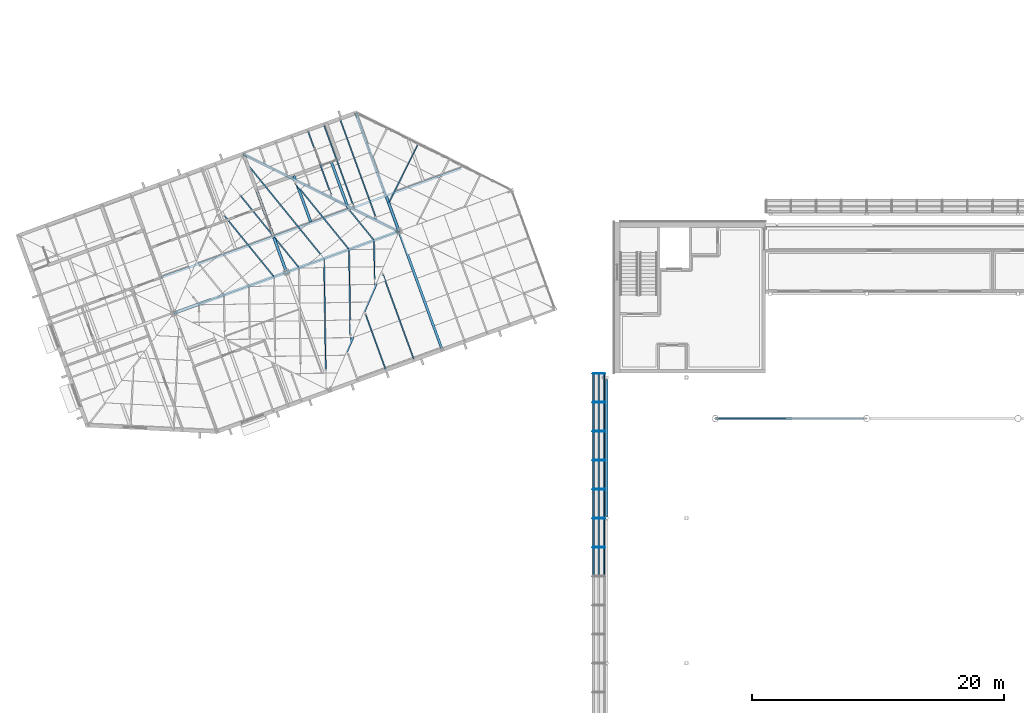
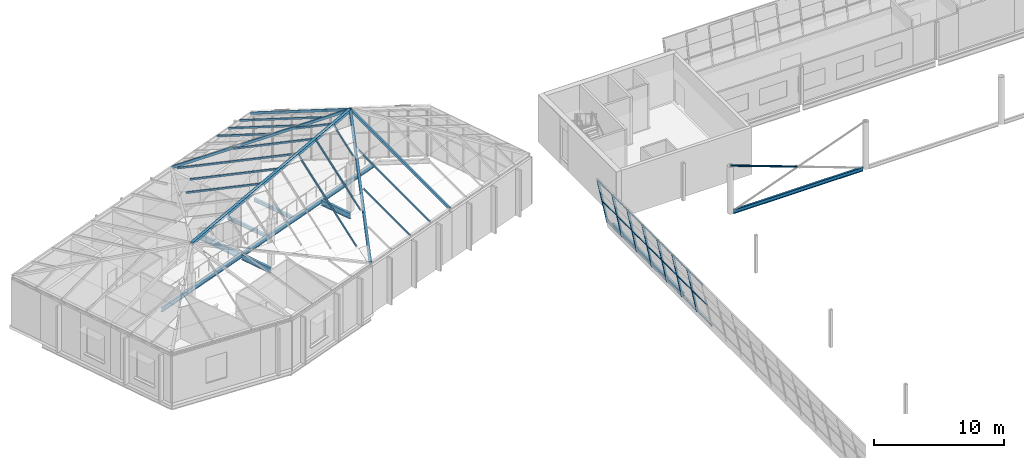
# One storey, part 22 of 95: 48 members, 8 beams, 1 element without a shape of its own.
"""IFC4 building model written with IfcOpenShell, lengths in metres."""

from ifc_helpers import new_model, si_unit, direction, frame, origin, origin_2d, place, context, subcontext, project, spatial, rectangle, hollow_rectangle, hollow_circle, i_section, extrude, material, layer, layer_set, material_profile, profile_set, type_object, element, aggregate, save


model = new_model("IFC4")

# Units and contexts
model_context = context("Model", 3, precision=1e-05, world=origin(), true_north=direction((0.0, 1.0)))
body_context = subcontext(model_context, "Body", "Model", "MODEL_VIEW")
ifc_project = project(units=[si_unit("LENGTHUNIT", "METRE"), si_unit("AREAUNIT", "SQUARE_METRE"), si_unit("VOLUMEUNIT", "CUBIC_METRE"), si_unit("PLANEANGLEUNIT", "RADIAN"), si_unit("MASSUNIT", "GRAM", prefix="KILO")], contexts=[model_context])

# Site, building, storey
site_placement = place(None, origin())
site = spatial("IfcSite", under=ifc_project, at=site_placement, CompositionType="ELEMENT")
building_placement = place(site_placement, origin())
building = spatial("IfcBuilding", under=site, at=building_placement, Name="Windward Yard Aquatics Centre", CompositionType="ELEMENT")
storey_placement = place(building_placement, frame((0.0, 0.0, 9.39990234375)))
storey = spatial("IfcBuildingStorey", under=building, at=storey_placement, Name="L02", CompositionType="ELEMENT", Elevation=9.39990234375)

# Members
ifc_material_1 = material(Name="Steel S355", Category="steel")
ifc_material_profile_1 = material_profile(ifc_material_1, hollow_rectangle(XDim=0.202880859375, YDim=0.202880859375, WallThickness=0.0087890625, at=origin_2d()), Name="HSS203x203x9.5")
ifc_profile_set_1 = profile_set([ifc_material_profile_1], Name="Steel S355")
member_type_1 = type_object("IfcMemberType", Name="F HSS203x203x9.5 brace", PredefinedType="BRACE", material=ifc_profile_set_1)
member_1_placement = place(storey_placement, frame((29.409423828125, 82.65625, 4.623779296875), z_axis=(0.37665642195, 0.864922168025, 0.33172214738), x_axis=(-0.923087374187, 0.320396914007, 0.212733441449)))
element("IfcMember", 1, at=member_1_placement, inside=storey, type_object=member_type_1, Name="F.RF.H.09", PredefinedType="BRACE", context=body_context, shape_type="SweptSolid", body=[
    extrude(hollow_rectangle(XDim=0.202880859375, YDim=0.202880859375, WallThickness=0.0087890625, at=origin_2d()), origin(), (0.0, 0.0, 1.0), 14.620849609375),
])
for number, where, z_axis, x_axis, name in (
    (2, (38.326904296875, 85.90869140625, 4.62646484375), (-0.307753927574, 0.845499548345, 0.436369148555), (-0.939686455819, -0.342037080957, 0.0), "F.RF.H.12"),
    (3, (31.49951171875, 104.581298828125, 4.6298828125), (0.307736806775, -0.845490895563, 0.43639798725), (0.94988368346, 0.246516286578, -0.192225670366), "F.RF.H.18"),
):
    element("IfcMember", number, at=place(storey_placement, frame(where, z_axis=z_axis, x_axis=x_axis)), inside=storey, type_object=member_type_1, Name=name, PredefinedType="BRACE", context=body_context, shape_type="SweptSolid", body=[
        extrude(hollow_rectangle(XDim=0.202880859375, YDim=0.202880859375, WallThickness=0.0087890625, at=origin_2d()), origin(), (0.0, 0.0, 1.0), 11.114013671875),
    ])
member_2_placement = place(storey_placement, frame((22.605712890625, 101.349365234375, 4.623779296875), z_axis=(0.844488405648, -0.420474206957, 0.331723942473), x_axis=(0.501194791769, 0.838777875336, -0.212733299108)))
element("IfcMember", 4, at=member_2_placement, inside=storey, type_object=member_type_1, Name="F.RF.H.20", PredefinedType="BRACE", context=body_context, shape_type="SweptSolid", body=[
    extrude(hollow_rectangle(XDim=0.202880859375, YDim=0.202880859375, WallThickness=0.0087890625, at=origin_2d()), origin(), (0.0, 0.0, 1.0), 14.620849609375),
])
ifc_material_profile_2 = material_profile(ifc_material_1, hollow_rectangle(XDim=0.25390625, YDim=0.25390625, WallThickness=0.01171875, at=origin_2d()), Name="HSS254x254x12.7")
ifc_profile_set_2 = profile_set([ifc_material_profile_2], Name="Steel S355")
member_type_2 = type_object("IfcMemberType", Name="F HSS254x254x12.7 brace", PredefinedType="BRACE", material=ifc_profile_set_2)
member_3_placement = place(storey_placement, frame((34.946044921875, 95.256103515625, 9.4404296875), z_axis=(-0.932287152589, -0.339318307427, -0.125314609536), x_axis=(0.342014388417, -0.939694715381, 0.0)))
element("IfcMember", 5, at=member_3_placement, inside=storey, type_object=member_type_2, Name="F.RF.G.01", PredefinedType="BRACE", context=body_context, shape_type="SweptSolid", body=[
    extrude(hollow_rectangle(XDim=0.25390625, YDim=0.25390625, WallThickness=0.01171875, at=origin_2d()), origin(), (0.0, 0.0, 1.0), 19.151123046875),
])
ifc_material_profile_3 = material_profile(ifc_material_1, hollow_rectangle(XDim=0.10009765625, YDim=0.14990234375, WallThickness=0.006103515625, at=origin_2d()), Name="RHS150x100x6")
ifc_profile_set_3 = profile_set([ifc_material_profile_3], Name="Steel S355")
member_type_3 = type_object("IfcMemberType", Name="F RHS150x100x6 rafter", PredefinedType="RAFTER", material=ifc_profile_set_3)
member_4_placement = place(storey_placement, frame((36.098876953125, 85.08544921875, 4.650146484375), z_axis=(-0.307731662636, 0.845495502744, 0.436392688585), x_axis=(-0.939693882973, -0.342016675474, 0.0)))
element("IfcMember", 6, at=member_4_placement, inside=storey, type_object=member_type_3, Name="F.RF.R.01.01", PredefinedType="RAFTER", context=body_context, shape_type="SweptSolid", body=[
    extrude(hollow_rectangle(XDim=0.10009765625, YDim=0.14990234375, WallThickness=0.006103515625, at=origin_2d()), origin(), (0.0, 0.0, 1.0), 7.962158203125),
])
member_5_placement = place(storey_placement, frame((33.8671875, 84.273193359375, 4.650146484375), z_axis=(-0.307733338762, 0.845489577206, 0.436402986987), x_axis=(-0.939692513883, -0.342020437038, 0.0)))
element("IfcMember", 7, at=member_5_placement, inside=storey, type_object=member_type_3, Name="F.RF.R.01.02", PredefinedType="RAFTER", context=body_context, shape_type="SweptSolid", body=[
    extrude(hollow_rectangle(XDim=0.10009765625, YDim=0.14990234375, WallThickness=0.006103515625, at=origin_2d()), origin(), (0.0, 0.0, 1.0), 5.183837890625),
])
member_6_placement = place(storey_placement, frame((36.417236328125, 102.1298828125, 4.6591796875), z_axis=(-0.364394044993, -0.731922999502, 0.575765319182), x_axis=(0.895192718547, -0.445679253119, 0.0)))
element("IfcMember", 8, at=member_6_placement, inside=storey, type_object=member_type_3, Name="F.RF.R.04.02", PredefinedType="RAFTER", context=body_context, shape_type="SweptSolid", body=[
    extrude(hollow_rectangle(XDim=0.10009765625, YDim=0.14990234375, WallThickness=0.006103515625, at=origin_2d()), origin(), (0.0, 0.0, 1.0), 6.230224609375),
])
member_7_placement = place(storey_placement, frame((27.697509765625, 103.2080078125, 4.650146484375), z_axis=(0.307765394896, -0.845486884451, 0.436385597752), x_axis=(0.939680712792, 0.342052858497, 0.0)))
element("IfcMember", 9, at=member_7_placement, inside=storey, type_object=member_type_3, Name="F.RF.R.05.04", PredefinedType="RAFTER", context=body_context, shape_type="SweptSolid", body=[
    extrude(hollow_rectangle(XDim=0.10009765625, YDim=0.14990234375, WallThickness=0.006103515625, at=origin_2d()), origin(), (0.0, 0.0, 1.0), 5.977294921875),
])
member_8_placement = place(storey_placement, frame((28.972900390625, 103.67236328125, 4.650146484375), z_axis=(0.307708636788, -0.845512982049, 0.436375058903), x_axis=(0.939704379661, 0.341987834354, 0.0)))
element("IfcMember", 10, at=member_8_placement, inside=storey, type_object=member_type_3, Name="F.RF.R.05.05", PredefinedType="RAFTER", context=body_context, shape_type="SweptSolid", body=[
    extrude(hollow_rectangle(XDim=0.10009765625, YDim=0.14990234375, WallThickness=0.006103515625, at=origin_2d()), origin(), (0.0, 0.0, 1.0), 7.565185546875),
])
member_9_placement = place(storey_placement, frame((30.248046875, 104.136474609375, 4.650146484375), z_axis=(0.30775789334, -0.845493994029, 0.436377113455), x_axis=(0.939684316992, 0.342042956951, 0.0)))
element("IfcMember", 11, at=member_9_placement, inside=storey, type_object=member_type_3, Name="F.RF.R.05.06", PredefinedType="RAFTER", context=body_context, shape_type="SweptSolid", body=[
    extrude(hollow_rectangle(XDim=0.10009765625, YDim=0.14990234375, WallThickness=0.006103515625, at=origin_2d()), origin(), (0.0, 0.0, 1.0), 9.153076171875),
])
member_10_placement = place(storey_placement, frame((32.991943359375, 91.471435546875, 8.033935546875), z_axis=(-0.014901180284, 0.93269224347, 0.360365278289), x_axis=(-0.999872399763, -0.015974485683, 0.0)))
element("IfcMember", 12, at=member_10_placement, inside=storey, type_object=member_type_3, Name="F.RF.R.12.01", PredefinedType="RAFTER", context=body_context, shape_type="SweptSolid", body=[
    extrude(hollow_rectangle(XDim=0.10009765625, YDim=0.14990234375, WallThickness=0.006103515625, at=origin_2d()), origin(), (0.0, 0.0, 1.0), 3.211181640625),
])
member_11_placement = place(storey_placement, frame((31.06689453125, 87.051025390625, 6.338623046875), z_axis=(-0.014832581176, 0.932717610346, 0.360302447794), x_axis=(-0.999873578553, -0.015900531796, 0.0)))
element("IfcMember", 13, at=member_11_placement, inside=storey, type_object=member_type_3, Name="F.RF.R.12.02", PredefinedType="RAFTER", context=body_context, shape_type="SweptSolid", body=[
    extrude(hollow_rectangle(XDim=0.10009765625, YDim=0.14990234375, WallThickness=0.006103515625, at=origin_2d()), origin(), (0.0, 0.0, 1.0), 7.176513671875),
])
member_12_placement = place(storey_placement, frame((29.115478515625, 84.27978515625, 5.280517578125), z_axis=(-0.014794322586, 0.932719527831, 0.360299056925), x_axis=(-0.999874230279, -0.015859496308, 0.0)))
element("IfcMember", 14, at=member_12_placement, inside=storey, type_object=member_type_3, Name="F.RF.R.12.03", PredefinedType="RAFTER", context=body_context, shape_type="SweptSolid", body=[
    extrude(hollow_rectangle(XDim=0.10009765625, YDim=0.14990234375, WallThickness=0.006103515625, at=origin_2d()), origin(), (0.0, 0.0, 1.0), 9.373291015625),
])
member_13_placement = place(storey_placement, frame((21.077392578125, 96.4775390625, 5.739990234375), z_axis=(0.588189213242, -0.724021669537, 0.360313851338), x_axis=(0.776155127648, 0.630542003221, 0.0)))
element("IfcMember", 15, at=member_13_placement, inside=storey, type_object=member_type_3, Name="F.RF.R.13.04", PredefinedType="RAFTER", context=body_context, shape_type="SweptSolid", body=[
    extrude(hollow_rectangle(XDim=0.10009765625, YDim=0.14990234375, WallThickness=0.006103515625, at=origin_2d()), origin(), (0.0, 0.0, 1.0), 6.617919921875),
])
member_14_placement = place(storey_placement, frame((22.35107421875, 98.073974609375, 5.571533203125), z_axis=(0.588152661222, -0.72405298969, 0.360310581607), x_axis=(0.776187652145, 0.630501965626, 0.0)))
element("IfcMember", 16, at=member_14_placement, inside=storey, type_object=member_type_3, Name="F.RF.R.13.05", PredefinedType="RAFTER", context=body_context, shape_type="SweptSolid", body=[
    extrude(hollow_rectangle(XDim=0.10009765625, YDim=0.14990234375, WallThickness=0.006103515625, at=origin_2d()), origin(), (0.0, 0.0, 1.0), 7.825439453125),
])
member_15_placement = place(storey_placement, frame((22.74169921875, 100.7568359375, 4.8623046875), z_axis=(0.588176098944, -0.724037407637, 0.360303634415), x_axis=(0.776168715423, 0.630525277209, 0.0)))
element("IfcMember", 17, at=member_15_placement, inside=storey, type_object=member_type_3, Name="F.RF.R.13.06", PredefinedType="RAFTER", context=body_context, shape_type="SweptSolid", body=[
    extrude(hollow_rectangle(XDim=0.10009765625, YDim=0.14990234375, WallThickness=0.006103515625, at=origin_2d()), origin(), (0.0, 0.0, 1.0), 10.533935546875),
])
member_16_placement = place(storey_placement, frame((26.7001953125, 99.048095703125, 6.338623046875), z_axis=(0.588190695154, -0.724029066799, 0.360296567517), x_axis=(0.776157502956, 0.630539079364, 0.0)))
element("IfcMember", 18, at=member_16_placement, inside=storey, type_object=member_type_3, Name="F.RF.R.13.07", PredefinedType="RAFTER", context=body_context, shape_type="SweptSolid", body=[
    extrude(hollow_rectangle(XDim=0.10009765625, YDim=0.14990234375, WallThickness=0.006103515625, at=origin_2d()), origin(), (0.0, 0.0, 1.0), 7.176513671875),
])
member_17_placement = place(storey_placement, frame((31.016357421875, 96.899169921875, 8.033935546875), z_axis=(0.588155786301, -0.724018556482, 0.360374667408), x_axis=(0.776171338015, 0.630522048817, 0.0)))
element("IfcMember", 19, at=member_17_placement, inside=storey, type_object=member_type_3, Name="F.RF.R.13.08", PredefinedType="RAFTER", context=body_context, shape_type="SweptSolid", body=[
    extrude(hollow_rectangle(XDim=0.10009765625, YDim=0.14990234375, WallThickness=0.006103515625, at=origin_2d()), origin(), (0.0, 0.0, 1.0), 3.211181640625),
])

# Beams
ifc_material_profile_4 = material_profile(ifc_material_1, i_section(OverallWidth=0.202880859375, OverallDepth=0.302001953125, WebThickness=0.007568359375, FlangeThickness=0.01318359375, at=origin_2d()), Name="W310x60")
ifc_profile_set_4 = profile_set([ifc_material_profile_4], Name="Steel S355")
beam_type_1 = type_object("IfcBeamType", Name="F W310x60 joist", PredefinedType="JOIST", material=ifc_profile_set_4)
for number, where, z_axis, x_axis, name in (
    (20, (27.918701171875, 95.9873046875, -0.430908203125), (-0.342029583368, 0.939689184838, 0.0), (-0.939689184838, -0.342029583368, 0.0), "F.BM.L02.S09"),
    (21, (30.894287109375, 97.0703125, -0.430908203125), (-0.341974297405, 0.93970930607, 0.0), (-0.93970930607, -0.341974297405, 0.0), "F.BM.L02.S10"),
):
    element("IfcBeam", number, at=place(storey_placement, frame(where, z_axis=z_axis, x_axis=x_axis)), inside=storey, type_object=beam_type_1, Name=name, PredefinedType="JOIST", context=body_context, shape_type="SweptSolid", body=[
        extrude(i_section(OverallWidth=0.202880859375, OverallDepth=0.302001953125, WebThickness=0.007568359375, FlangeThickness=0.01318359375, at=origin_2d()), origin(), (0.0, 0.0, 1.0), 3.8994140625),
    ])
ifc_material_profile_5 = material_profile(ifc_material_1, i_section(OverallWidth=0.180908203125, OverallDepth=0.4169921875, WebThickness=0.010986328125, FlangeThickness=0.018310546875, at=origin_2d()), Name="W410x85")
ifc_profile_set_5 = profile_set([ifc_material_profile_5], Name="Steel S355")
beam_type_2 = type_object("IfcBeamType", Name="F W410x85 beam", PredefinedType="BEAM", material=ifc_profile_set_5)
beam_1_placement = place(storey_placement, frame((39.852294921875, 100.234375, -0.48828125), z_axis=(-0.939691523189, -0.342023158932, 0.0), x_axis=(0.342023158932, -0.939691523189, 0.0)))
element("IfcBeam", 22, at=beam_1_placement, inside=storey, type_object=beam_type_2, Name="F.BM.L02.E01", PredefinedType="BEAM", context=body_context, shape_type="SweptSolid", body=[
    extrude(i_section(OverallWidth=0.180908203125, OverallDepth=0.4169921875, WebThickness=0.010986328125, FlangeThickness=0.018310546875, at=origin_2d()), origin(), (0.0, 0.0, 1.0), 25.333251953125),
])
ifc_material_profile_6 = material_profile(ifc_material_1, i_section(OverallWidth=0.208984375, OverallDepth=0.532958984375, WebThickness=0.01025390625, FlangeThickness=0.015625, at=origin_2d()), Name="W530x92")
ifc_profile_set_6 = profile_set([ifc_material_profile_6], Name="Steel S355")
beam_type_3 = type_object("IfcBeamType", Name="F W530x92 beam", PredefinedType="BEAM", material=ifc_profile_set_6)
beam_2_placement = place(storey_placement, frame((26.0, 92.0, -0.54638671875), z_axis=(-0.34203950662, 0.939685572897, 0.0), x_axis=(-0.939685572897, -0.34203950662, 0.0)))
element("IfcBeam", 23, at=beam_2_placement, inside=storey, type_object=beam_type_3, Name="F.BM.L02.P04", PredefinedType="BEAM", context=body_context, shape_type="SweptSolid", body=[
    extrude(i_section(OverallWidth=0.208984375, OverallDepth=0.532958984375, WebThickness=0.01025390625, FlangeThickness=0.015625, at=origin_2d()), origin(), (0.0, 0.0, 1.0), 2.909423828125),
])
beam_3_placement = place(storey_placement, frame((24.943115234375, 94.904052734375, -0.54638671875), z_axis=(-0.342009462046, 0.939696508385, 0.0), x_axis=(-0.939696508385, -0.342009462046, 0.0)))
element("IfcBeam", 24, at=beam_3_placement, inside=storey, type_object=beam_type_3, Name="F.BM.L02.P05", PredefinedType="BEAM", context=body_context, shape_type="SweptSolid", body=[
    extrude(i_section(OverallWidth=0.208984375, OverallDepth=0.532958984375, WebThickness=0.01025390625, FlangeThickness=0.015625, at=origin_2d()), origin(), (0.0, 0.0, 1.0), 3.899658203125),
])
beam_4_placement = place(storey_placement, frame((34.927001953125, 95.249267578125, -0.54638671875), z_axis=(-0.34203950662, 0.939685572897, 0.0), x_axis=(-0.939685572897, -0.34203950662, 0.0)))
element("IfcBeam", 25, at=beam_4_placement, inside=storey, type_object=beam_type_3, Name="F.BM.L02.P06", PredefinedType="BEAM", context=body_context, shape_type="SweptSolid", body=[
    extrude(i_section(OverallWidth=0.208984375, OverallDepth=0.532958984375, WebThickness=0.01025390625, FlangeThickness=0.015625, at=origin_2d()), origin(), (0.0, 0.0, 1.0), 2.909423828125),
])

# Curtain wall, members
ifc_material_2 = material(Name="Glass and aluminium curtain wall", Category="aluminium")
ifc_layer = layer(ifc_material_2, 0.179931640625)
ifc_layer_set = layer_set([ifc_layer], Name="H curtain wall tier 1 double glazed 8+16+8")
curtain_wall_type = type_object("IfcCurtainWallType", Name="H curtain wall tier 1 double glazed 8+16+8", PredefinedType="NOTDEFINED", material=ifc_layer_set)
curtain_wall_placement = place(storey_placement, origin())
curtain_wall = element("IfcCurtainWall", 26, at=curtain_wall_placement, inside=storey, type_object=curtain_wall_type, Name="Tier 1 glazing W L02", PredefinedType="NOTDEFINED")
ifc_material_3 = material(Name="Aluminium 6063-T6 anodised", Category="aluminium")
ifc_material_profile_7 = material_profile(ifc_material_3, rectangle(XDim=0.06494140625, YDim=0.179931640625, at=origin_2d()), Name="H CW mullion 65x180")
ifc_profile_set_7 = profile_set([ifc_material_profile_7], Name="Aluminium 6063-T6 anodised")
member_type_4 = type_object("IfcMemberType", Name="H CW mullion 65x180", PredefinedType="MULLION", material=ifc_profile_set_7)
member_18_placement = place(storey_placement, frame((51.196533203125, 70.199951171875, 0.0), z_axis=(-0.199322032497, 0.0, 0.979934042352), x_axis=(0.0, -1.0, 0.0)))
member_18 = element("IfcMember", 27, at=member_18_placement, type_object=member_type_4, Name="G1WA mullion 15", PredefinedType="MULLION", context=body_context, shape_type="SweptSolid", body=[
    extrude(rectangle(XDim=0.06494140625, YDim=0.179931640625, at=origin_2d()), origin(), (0.0, 0.0, 1.0), 4.31884765625),
])
member_19_placement = place(storey_placement, frame((51.196533203125, 72.5, 0.0), z_axis=(-0.199322032497, 0.0, 0.979934042352), x_axis=(0.0, -1.0, 0.0)))
member_19 = element("IfcMember", 28, at=member_19_placement, type_object=member_type_4, Name="G1WA mullion 16", PredefinedType="MULLION", context=body_context, shape_type="SweptSolid", body=[
    extrude(rectangle(XDim=0.06494140625, YDim=0.179931640625, at=origin_2d()), origin(), (0.0, 0.0, 1.0), 4.31884765625),
])
member_20_placement = place(storey_placement, frame((51.196533203125, 74.800048828125, 0.0), z_axis=(-0.199322032497, 0.0, 0.979934042352), x_axis=(0.0, -1.0, 0.0)))
member_20 = element("IfcMember", 29, at=member_20_placement, type_object=member_type_4, Name="G1WA mullion 17", PredefinedType="MULLION", context=body_context, shape_type="SweptSolid", body=[
    extrude(rectangle(XDim=0.06494140625, YDim=0.179931640625, at=origin_2d()), origin(), (0.0, 0.0, 1.0), 4.31884765625),
])
member_21_placement = place(storey_placement, frame((51.196533203125, 77.10009765625, 0.0), z_axis=(-0.199322032497, 0.0, 0.979934042352), x_axis=(0.0, -1.0, 0.0)))
member_21 = element("IfcMember", 30, at=member_21_placement, type_object=member_type_4, Name="G1WA mullion 18", PredefinedType="MULLION", context=body_context, shape_type="SweptSolid", body=[
    extrude(rectangle(XDim=0.06494140625, YDim=0.179931640625, at=origin_2d()), origin(), (0.0, 0.0, 1.0), 4.31884765625),
])
member_22_placement = place(storey_placement, frame((51.196533203125, 79.39990234375, 0.0), z_axis=(-0.199322032497, 0.0, 0.979934042352), x_axis=(0.0, -1.0, 0.0)))
member_22 = element("IfcMember", 31, at=member_22_placement, type_object=member_type_4, Name="G1WA mullion 19", PredefinedType="MULLION", context=body_context, shape_type="SweptSolid", body=[
    extrude(rectangle(XDim=0.06494140625, YDim=0.179931640625, at=origin_2d()), origin(), (0.0, 0.0, 1.0), 4.31884765625),
])
member_23_placement = place(storey_placement, frame((51.196533203125, 81.699951171875, 0.0), z_axis=(-0.199322032497, 0.0, 0.979934042352), x_axis=(0.0, -1.0, 0.0)))
member_23 = element("IfcMember", 32, at=member_23_placement, type_object=member_type_4, Name="G1WA mullion 20", PredefinedType="MULLION", context=body_context, shape_type="SweptSolid", body=[
    extrude(rectangle(XDim=0.06494140625, YDim=0.179931640625, at=origin_2d()), origin(), (0.0, 0.0, 1.0), 4.31884765625),
])
member_24_placement = place(storey_placement, frame((51.196533203125, 83.967529296875, 0.0), z_axis=(-0.199322032497, 0.0, 0.979934042352), x_axis=(0.0, -1.0, 0.0)))
member_24 = element("IfcMember", 33, at=member_24_placement, type_object=member_type_4, Name="G1WA mullion 21", PredefinedType="MULLION", context=body_context, shape_type="SweptSolid", body=[
    extrude(rectangle(XDim=0.06494140625, YDim=0.179931640625, at=origin_2d()), origin(), (0.0, 0.0, 1.0), 4.31884765625),
])
ifc_material_profile_8 = material_profile(ifc_material_3, rectangle(XDim=0.06494140625, YDim=0.10009765625, at=origin_2d()), Name="H CW transom 65x100")
ifc_profile_set_8 = profile_set([ifc_material_profile_8], Name="Aluminium 6063-T6 anodised")
member_type_5 = type_object("IfcMemberType", Name="H CW transom 65x100", PredefinedType="USERDEFINED", material=ifc_profile_set_8)
member_25_placement = place(storey_placement, frame((51.186767578125, 67.9326171875, 0.049072265625), z_axis=(0.0, 1.0, 0.0), x_axis=(0.9799247046, 0.0, 0.19936793452)))
member_25 = element("IfcMember", 34, at=member_25_placement, type_object=member_type_5, Name="G1WA transom 14.1", ObjectType="TRANSOM", PredefinedType="USERDEFINED", context=body_context, shape_type="SweptSolid", body=[
    extrude(rectangle(XDim=0.06494140625, YDim=0.10009765625, at=origin_2d()), origin(), (0.0, 0.0, 1.0), 2.23486328125),
])
member_26_placement = place(storey_placement, frame((50.764404296875, 67.9326171875, 2.125), z_axis=(0.0, 1.0, 0.0), x_axis=(0.9799247046, 0.0, 0.19936793452)))
member_26 = element("IfcMember", 35, at=member_26_placement, type_object=member_type_5, Name="G1WA transom 14.2", ObjectType="TRANSOM", PredefinedType="USERDEFINED", context=body_context, shape_type="SweptSolid", body=[
    extrude(rectangle(XDim=0.06494140625, YDim=0.10009765625, at=origin_2d()), origin(), (0.0, 0.0, 1.0), 2.23486328125),
])
member_27_placement = place(storey_placement, frame((50.34326171875, 67.9326171875, 4.194580078125), z_axis=(0.0, 1.0, 0.0), x_axis=(0.9799247046, 0.0, 0.19936793452)))
member_27 = element("IfcMember", 36, at=member_27_placement, type_object=member_type_5, Name="G1WA transom 14.3", ObjectType="TRANSOM", PredefinedType="USERDEFINED", context=body_context, shape_type="SweptSolid", body=[
    extrude(rectangle(XDim=0.06494140625, YDim=0.10009765625, at=origin_2d()), origin(), (0.0, 0.0, 1.0), 2.23486328125),
])
member_28_placement = place(storey_placement, frame((51.186767578125, 70.232421875, 0.049072265625), z_axis=(0.0, 1.0, 0.0), x_axis=(0.9799247046, 0.0, 0.19936793452)))
member_28 = element("IfcMember", 37, at=member_28_placement, type_object=member_type_5, Name="G1WA transom 15.1", ObjectType="TRANSOM", PredefinedType="USERDEFINED", context=body_context, shape_type="SweptSolid", body=[
    extrude(rectangle(XDim=0.06494140625, YDim=0.10009765625, at=origin_2d()), origin(), (0.0, 0.0, 1.0), 2.235107421875),
])
member_29_placement = place(storey_placement, frame((50.764404296875, 70.232421875, 2.125), z_axis=(0.0, 1.0, 0.0), x_axis=(0.9799247046, 0.0, 0.19936793452)))
member_29 = element("IfcMember", 38, at=member_29_placement, type_object=member_type_5, Name="G1WA transom 15.2", ObjectType="TRANSOM", PredefinedType="USERDEFINED", context=body_context, shape_type="SweptSolid", body=[
    extrude(rectangle(XDim=0.06494140625, YDim=0.10009765625, at=origin_2d()), origin(), (0.0, 0.0, 1.0), 2.235107421875),
])
member_30_placement = place(storey_placement, frame((50.34326171875, 70.232421875, 4.194580078125), z_axis=(0.0, 1.0, 0.0), x_axis=(0.9799247046, 0.0, 0.19936793452)))
member_30 = element("IfcMember", 39, at=member_30_placement, type_object=member_type_5, Name="G1WA transom 15.3", ObjectType="TRANSOM", PredefinedType="USERDEFINED", context=body_context, shape_type="SweptSolid", body=[
    extrude(rectangle(XDim=0.06494140625, YDim=0.10009765625, at=origin_2d()), origin(), (0.0, 0.0, 1.0), 2.235107421875),
])
member_31_placement = place(storey_placement, frame((51.186767578125, 72.532470703125, 0.049072265625), z_axis=(0.0, 1.0, 0.0), x_axis=(0.9799247046, 0.0, 0.19936793452)))
member_31 = element("IfcMember", 40, at=member_31_placement, type_object=member_type_5, Name="G1WA transom 16.1", ObjectType="TRANSOM", PredefinedType="USERDEFINED", context=body_context, shape_type="SweptSolid", body=[
    extrude(rectangle(XDim=0.06494140625, YDim=0.10009765625, at=origin_2d()), origin(), (0.0, 0.0, 1.0), 2.235107421875),
])
member_32_placement = place(storey_placement, frame((50.764404296875, 72.532470703125, 2.125), z_axis=(0.0, 1.0, 0.0), x_axis=(0.9799247046, 0.0, 0.19936793452)))
member_32 = element("IfcMember", 41, at=member_32_placement, type_object=member_type_5, Name="G1WA transom 16.2", ObjectType="TRANSOM", PredefinedType="USERDEFINED", context=body_context, shape_type="SweptSolid", body=[
    extrude(rectangle(XDim=0.06494140625, YDim=0.10009765625, at=origin_2d()), origin(), (0.0, 0.0, 1.0), 2.235107421875),
])
member_33_placement = place(storey_placement, frame((50.34326171875, 72.532470703125, 4.194580078125), z_axis=(0.0, 1.0, 0.0), x_axis=(0.9799247046, 0.0, 0.19936793452)))
member_33 = element("IfcMember", 42, at=member_33_placement, type_object=member_type_5, Name="G1WA transom 16.3", ObjectType="TRANSOM", PredefinedType="USERDEFINED", context=body_context, shape_type="SweptSolid", body=[
    extrude(rectangle(XDim=0.06494140625, YDim=0.10009765625, at=origin_2d()), origin(), (0.0, 0.0, 1.0), 2.235107421875),
])
member_34_placement = place(storey_placement, frame((51.186767578125, 74.83251953125, 0.049072265625), z_axis=(0.0, 1.0, 0.0), x_axis=(0.9799247046, 0.0, 0.19936793452)))
member_34 = element("IfcMember", 43, at=member_34_placement, type_object=member_type_5, Name="G1WA transom 17.1", ObjectType="TRANSOM", PredefinedType="USERDEFINED", context=body_context, shape_type="SweptSolid", body=[
    extrude(rectangle(XDim=0.06494140625, YDim=0.10009765625, at=origin_2d()), origin(), (0.0, 0.0, 1.0), 2.23486328125),
])
member_35_placement = place(storey_placement, frame((50.764404296875, 74.83251953125, 2.125), z_axis=(0.0, 1.0, 0.0), x_axis=(0.9799247046, 0.0, 0.19936793452)))
member_35 = element("IfcMember", 44, at=member_35_placement, type_object=member_type_5, Name="G1WA transom 17.2", ObjectType="TRANSOM", PredefinedType="USERDEFINED", context=body_context, shape_type="SweptSolid", body=[
    extrude(rectangle(XDim=0.06494140625, YDim=0.10009765625, at=origin_2d()), origin(), (0.0, 0.0, 1.0), 2.23486328125),
])
member_36_placement = place(storey_placement, frame((50.34326171875, 74.83251953125, 4.194580078125), z_axis=(0.0, 1.0, 0.0), x_axis=(0.9799247046, 0.0, 0.19936793452)))
member_36 = element("IfcMember", 45, at=member_36_placement, type_object=member_type_5, Name="G1WA transom 17.3", ObjectType="TRANSOM", PredefinedType="USERDEFINED", context=body_context, shape_type="SweptSolid", body=[
    extrude(rectangle(XDim=0.06494140625, YDim=0.10009765625, at=origin_2d()), origin(), (0.0, 0.0, 1.0), 2.23486328125),
])
member_37_placement = place(storey_placement, frame((51.186767578125, 77.132568359375, 0.049072265625), z_axis=(0.0, 1.0, 0.0), x_axis=(0.9799247046, 0.0, 0.19936793452)))
member_37 = element("IfcMember", 46, at=member_37_placement, type_object=member_type_5, Name="G1WA transom 18.1", ObjectType="TRANSOM", PredefinedType="USERDEFINED", context=body_context, shape_type="SweptSolid", body=[
    extrude(rectangle(XDim=0.06494140625, YDim=0.10009765625, at=origin_2d()), origin(), (0.0, 0.0, 1.0), 2.23486328125),
])
member_38_placement = place(storey_placement, frame((50.764404296875, 77.132568359375, 2.125), z_axis=(0.0, 1.0, 0.0), x_axis=(0.9799247046, 0.0, 0.19936793452)))
member_38 = element("IfcMember", 47, at=member_38_placement, type_object=member_type_5, Name="G1WA transom 18.2", ObjectType="TRANSOM", PredefinedType="USERDEFINED", context=body_context, shape_type="SweptSolid", body=[
    extrude(rectangle(XDim=0.06494140625, YDim=0.10009765625, at=origin_2d()), origin(), (0.0, 0.0, 1.0), 2.23486328125),
])
member_39_placement = place(storey_placement, frame((50.34326171875, 77.132568359375, 4.194580078125), z_axis=(0.0, 1.0, 0.0), x_axis=(0.9799247046, 0.0, 0.19936793452)))
member_39 = element("IfcMember", 48, at=member_39_placement, type_object=member_type_5, Name="G1WA transom 18.3", ObjectType="TRANSOM", PredefinedType="USERDEFINED", context=body_context, shape_type="SweptSolid", body=[
    extrude(rectangle(XDim=0.06494140625, YDim=0.10009765625, at=origin_2d()), origin(), (0.0, 0.0, 1.0), 2.23486328125),
])
member_40_placement = place(storey_placement, frame((51.186767578125, 79.4326171875, 0.049072265625), z_axis=(0.0, 1.0, 0.0), x_axis=(0.9799247046, 0.0, 0.19936793452)))
member_40 = element("IfcMember", 49, at=member_40_placement, type_object=member_type_5, Name="G1WA transom 19.1", ObjectType="TRANSOM", PredefinedType="USERDEFINED", context=body_context, shape_type="SweptSolid", body=[
    extrude(rectangle(XDim=0.06494140625, YDim=0.10009765625, at=origin_2d()), origin(), (0.0, 0.0, 1.0), 2.23486328125),
])
member_41_placement = place(storey_placement, frame((50.764404296875, 79.4326171875, 2.125), z_axis=(0.0, 1.0, 0.0), x_axis=(0.9799247046, 0.0, 0.19936793452)))
member_41 = element("IfcMember", 50, at=member_41_placement, type_object=member_type_5, Name="G1WA transom 19.2", ObjectType="TRANSOM", PredefinedType="USERDEFINED", context=body_context, shape_type="SweptSolid", body=[
    extrude(rectangle(XDim=0.06494140625, YDim=0.10009765625, at=origin_2d()), origin(), (0.0, 0.0, 1.0), 2.23486328125),
])
member_42_placement = place(storey_placement, frame((50.34326171875, 79.4326171875, 4.194580078125), z_axis=(0.0, 1.0, 0.0), x_axis=(0.9799247046, 0.0, 0.19936793452)))
member_42 = element("IfcMember", 51, at=member_42_placement, type_object=member_type_5, Name="G1WA transom 19.3", ObjectType="TRANSOM", PredefinedType="USERDEFINED", context=body_context, shape_type="SweptSolid", body=[
    extrude(rectangle(XDim=0.06494140625, YDim=0.10009765625, at=origin_2d()), origin(), (0.0, 0.0, 1.0), 2.23486328125),
])
member_43_placement = place(storey_placement, frame((51.186767578125, 81.732421875, 0.049072265625), z_axis=(0.0, 1.0, 0.0), x_axis=(0.9799247046, 0.0, 0.19936793452)))
member_43 = element("IfcMember", 52, at=member_43_placement, type_object=member_type_5, Name="G1WA transom 20.1", ObjectType="TRANSOM", PredefinedType="USERDEFINED", context=body_context, shape_type="SweptSolid", body=[
    extrude(rectangle(XDim=0.06494140625, YDim=0.10009765625, at=origin_2d()), origin(), (0.0, 0.0, 1.0), 2.20263671875),
])
member_44_placement = place(storey_placement, frame((50.764404296875, 81.732421875, 2.125), z_axis=(0.0, 1.0, 0.0), x_axis=(0.9799247046, 0.0, 0.19936793452)))
member_44 = element("IfcMember", 53, at=member_44_placement, type_object=member_type_5, Name="G1WA transom 20.2", ObjectType="TRANSOM", PredefinedType="USERDEFINED", context=body_context, shape_type="SweptSolid", body=[
    extrude(rectangle(XDim=0.06494140625, YDim=0.10009765625, at=origin_2d()), origin(), (0.0, 0.0, 1.0), 2.20263671875),
])
member_45_placement = place(storey_placement, frame((50.34326171875, 81.732421875, 4.194580078125), z_axis=(0.0, 1.0, 0.0), x_axis=(0.9799247046, 0.0, 0.19936793452)))
member_45 = element("IfcMember", 54, at=member_45_placement, type_object=member_type_5, Name="G1WA transom 20.3", ObjectType="TRANSOM", PredefinedType="USERDEFINED", context=body_context, shape_type="SweptSolid", body=[
    extrude(rectangle(XDim=0.06494140625, YDim=0.10009765625, at=origin_2d()), origin(), (0.0, 0.0, 1.0), 2.20263671875),
])
aggregate(curtain_wall, [member_18, member_19, member_20, member_21, member_22, member_23, member_24, member_25, member_26, member_27, member_28, member_29, member_30, member_31, member_32, member_33, member_34, member_35, member_36, member_37, member_38, member_39, member_40, member_41, member_42, member_43, member_44, member_45])

# Beam
ifc_material_4 = material(Name="Steel ASTM A992 Gr 50", Category="steel")
ifc_material_profile_9 = material_profile(ifc_material_4, i_section(OverallWidth=0.172119140625, OverallDepth=0.35791015625, WebThickness=0.0078125, FlangeThickness=0.01318359375, at=origin_2d()), Name="W360X57.8")
ifc_profile_set_9 = profile_set([ifc_material_profile_9], Name="Steel ASTM A992 Gr 50")
beam_type_4 = type_object("IfcBeamType", Name="H arch column tie beam W360X57.8", PredefinedType="BEAM", material=ifc_profile_set_9)
beam_5_placement = place(storey_placement, frame((60.25390625, 80.39990234375, 0.0), z_axis=(1.0, 0.0, 0.0), x_axis=(0.0, 1.0, 0.0)))
element("IfcBeam", 55, at=beam_5_placement, inside=storey, type_object=beam_type_4, Name="H.TB.N1.T2", PredefinedType="BEAM", context=body_context, shape_type="SweptSolid", body=[
    extrude(i_section(OverallWidth=0.172119140625, OverallDepth=0.35791015625, WebThickness=0.0078125, FlangeThickness=0.01318359375, at=origin_2d()), origin(), (0.0, 0.0, 1.0), 11.4921875),
])

# Member
ifc_material_5 = material(Name="Steel ASTM A500 Gr C", Category="steel")
ifc_material_profile_10 = material_profile(ifc_material_5, hollow_circle(Radius=0.084228515625, WallThickness=0.010986328125, at=origin_2d()), Name="HSS168.3X11")
ifc_profile_set_10 = profile_set([ifc_material_profile_10], Name="Steel ASTM A500 Gr C")
member_type_6 = type_object("IfcMemberType", Name="H column brace HSS168.3X11", PredefinedType="BRACE", material=ifc_profile_set_10)
member_46_placement = place(storey_placement, frame((60.0, 80.39990234375, 4.400146484375), z_axis=(0.938872965334, 0.0, -0.344263786891), x_axis=(0.0, 1.0, 0.0)))
element("IfcMember", 56, at=member_46_placement, inside=storey, type_object=member_type_6, Name="H.VB.N1.L02.B1", PredefinedType="BRACE", context=body_context, shape_type="SweptSolid", body=[
    extrude(hollow_circle(Radius=0.084228515625, WallThickness=0.010986328125, at=origin_2d()), origin(), (0.0, 0.0, 1.0), 6.2802734375),
])

# Beam
ifc_material_profile_11 = material_profile(ifc_material_4, i_section(OverallWidth=0.202880859375, OverallDepth=0.302001953125, WebThickness=0.007568359375, FlangeThickness=0.01318359375, at=origin_2d()), Name="W310X60")
ifc_profile_set_11 = profile_set([ifc_material_profile_11], Name="Steel ASTM A992 Gr 50")
beam_type_5 = type_object("IfcBeamType", Name="H tier ring beam W310X60", PredefinedType="BEAM", material=ifc_profile_set_11)
beam_6_placement = place(storey_placement, frame((51.40478515625, 72.636474609375, 0.0), z_axis=(0.0, 1.0, 0.0), x_axis=(-1.0, 0.0, 0.0)))
element("IfcBeam", 57, at=beam_6_placement, inside=storey, type_object=beam_type_5, Name="H.RG.W4.1", PredefinedType="BEAM", context=body_context, shape_type="SweptSolid", body=[
    extrude(i_section(OverallWidth=0.202880859375, OverallDepth=0.302001953125, WebThickness=0.007568359375, FlangeThickness=0.01318359375, at=origin_2d()), origin(), (0.0, 0.0, 1.0), 10.876953125),
])

save(model, "model.ifc")
